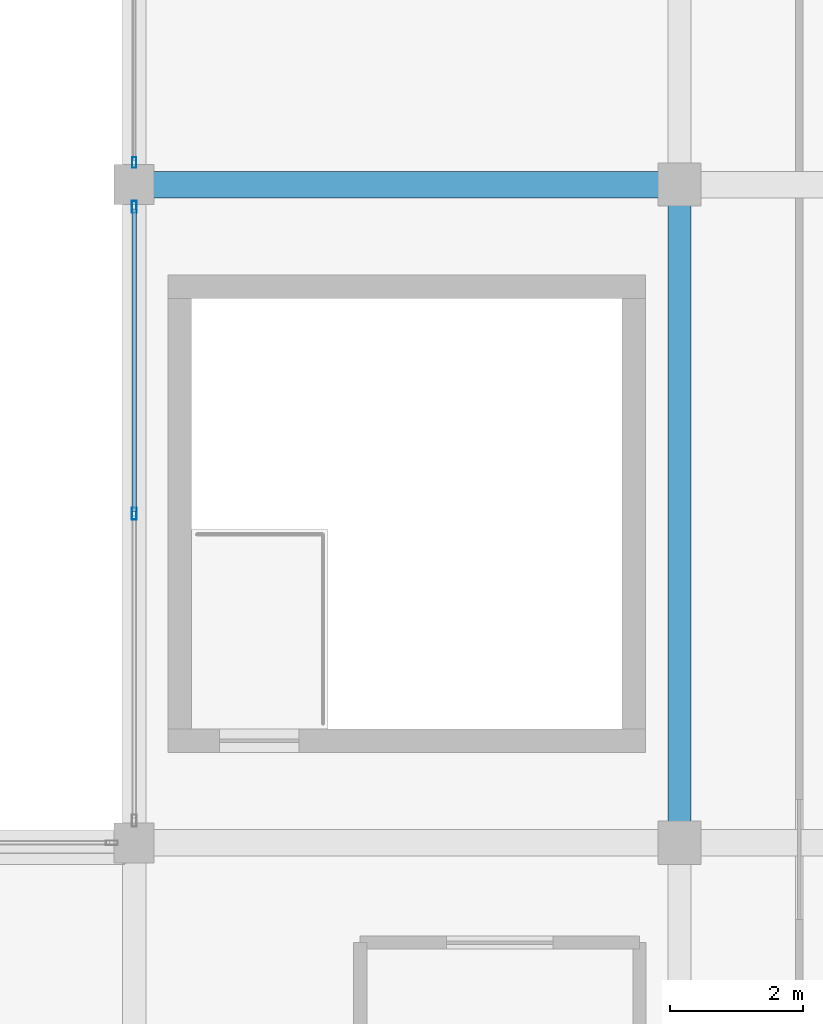
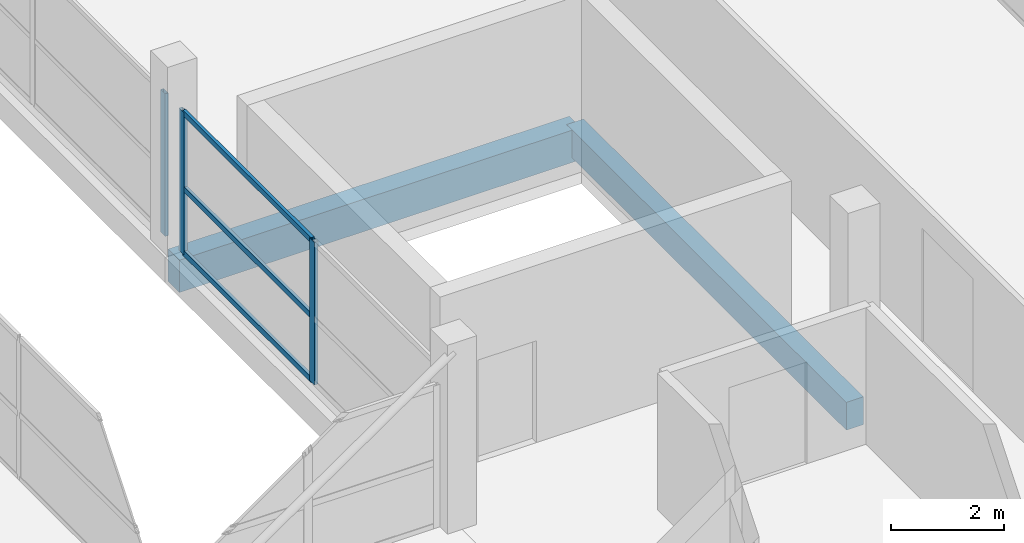
# One storey, part 30 of 53: 6 members, 2 beams, 2 elements without a shape of their own.
"""IFC4 building model written with IfcOpenShell, lengths in metres."""

from ifc_helpers import new_model, si_unit, direction, frame, origin, origin_2d, place, context, subcontext, project, spatial, rectangle, hollow_rectangle, extrude, material, layer, layer_set, material_profile, profile_set, type_object, element, aggregate, save


model = new_model("IFC4")

# Units and contexts
model_context = context("Model", 3, precision=1e-05, world=origin(), true_north=direction((0.0, 1.0)))
body_context = subcontext(model_context, "Body", "Model", "MODEL_VIEW")
ifc_project = project(units=[si_unit("LENGTHUNIT", "METRE"), si_unit("AREAUNIT", "SQUARE_METRE"), si_unit("VOLUMEUNIT", "CUBIC_METRE"), si_unit("PLANEANGLEUNIT", "RADIAN"), si_unit("MASSUNIT", "GRAM", prefix="KILO")], contexts=[model_context])

# Site, building, storey
site_placement = place(None, origin())
site = spatial("IfcSite", under=ifc_project, at=site_placement, CompositionType="ELEMENT")
building_placement = place(site_placement, origin())
building = spatial("IfcBuilding", under=site, at=building_placement, Name="Sillaruma Civic Art Gallery", CompositionType="ELEMENT")
storey_placement = place(building_placement, frame((0.0, 0.0, 70.3798828125)))
storey = spatial("IfcBuildingStorey", under=building, at=storey_placement, Name="L14", CompositionType="ELEMENT", Elevation=70.3798828125)

# Beams
ifc_material_1 = material(Name="Concrete H35 (35 MPa)", Category="concrete")
ifc_material_profile_1 = material_profile(ifc_material_1, rectangle(XDim=0.35009765625, YDim=0.60009765625, at=origin_2d()), Name="RCB350x600")
ifc_profile_set_1 = profile_set([ifc_material_profile_1], Name="Concrete H35 (35 MPa)")
beam_type_1 = type_object("IfcBeamType", Name="BM-BEAM-RCB350x600", PredefinedType="BEAM", material=ifc_profile_set_1)
beam_1_placement = place(storey_placement, frame((106.199951171875, 49.5, -0.5498046875), z_axis=(0.0, 1.0, 0.0), x_axis=(-1.0, 0.0, 0.0)))
element("IfcBeam", 1, at=beam_1_placement, inside=storey, type_object=beam_type_1, Name="Beam BM-06 (L13:M:6-7)", PredefinedType="BEAM", context=body_context, shape_type="SweptSolid", body=[
    extrude(rectangle(XDim=0.35009765625, YDim=0.60009765625, at=origin_2d()), origin(), (0.0, 0.0, 1.0), 9.89990234375),
])
ifc_material_profile_2 = material_profile(ifc_material_1, rectangle(XDim=0.39990234375, YDim=0.699951171875, at=origin_2d()), Name="RCB400x700")
ifc_profile_set_2 = profile_set([ifc_material_profile_2], Name="Concrete H35 (35 MPa)")
beam_type_2 = type_object("IfcBeamType", Name="BM-BEAM-RCB400x700", PredefinedType="BEAM", material=ifc_profile_set_2)
beam_2_placement = place(storey_placement, frame((98.0, 59.39990234375, -0.599853515625), z_axis=(1.0, 0.0, 0.0), x_axis=(0.0, 1.0, 0.0)))
element("IfcBeam", 2, at=beam_2_placement, inside=storey, type_object=beam_type_2, Name="Beam BM-04 (L13:7:L-M)", PredefinedType="BEAM", context=body_context, shape_type="SweptSolid", body=[
    extrude(rectangle(XDim=0.39990234375, YDim=0.699951171875, at=origin_2d()), origin(), (0.0, 0.0, 1.0), 8.199951171875),
])

# Curtain wall, member
ifc_material_2 = material(Name="Thermally Broken Extruded Aluminium 6063-T6", Category="aluminium")
ifc_layer_1 = layer(ifc_material_2, 0.159912109375, Name="Thermally Broken Extruded Aluminium 6063-T6")
ifc_layer_set_1 = layer_set([ifc_layer_1], Name="Thermally Broken Extruded Aluminium 6063-T6")
curtain_wall_type_1 = type_object("IfcCurtainWallType", Name="CW-UNI-97", PredefinedType="NOTDEFINED", material=ifc_layer_set_1)
curtain_wall_1_placement = place(storey_placement, origin())
curtain_wall_1 = element("IfcCurtainWall", 3, at=curtain_wall_1_placement, inside=storey, type_object=curtain_wall_type_1, Name="Unitised Curtain Wall CW-97 (CW-L14-EHH-W2)", PredefinedType="NOTDEFINED")
ifc_material_profile_3 = material_profile(ifc_material_2, hollow_rectangle(XDim=0.06494140625, YDim=0.159912109375, WallThickness=0.00390625, at=origin_2d()), Name="CWM65x160")
ifc_profile_set_3 = profile_set([ifc_material_profile_3], Name="Thermally Broken Extruded Aluminium 6063-T6")
member_type_1 = type_object("IfcMemberType", Name="MEM-MUL-CWM65x160", PredefinedType="MULLION", material=ifc_profile_set_3)
member_1_placement = place(storey_placement, frame((98.0, 59.732421875, 0.0), z_axis=(0.0, 0.0, 1.0), x_axis=(-1.0, 0.0, 0.0)))
member_1 = element("IfcMember", 4, at=member_1_placement, type_object=member_type_1, Name="CW-97 mullion 1", PredefinedType="MULLION", context=body_context, shape_type="SweptSolid", body=[
    extrude(hollow_rectangle(XDim=0.06494140625, YDim=0.159912109375, WallThickness=0.00390625, at=origin_2d()), origin(), (0.0, 0.0, 1.0), 3.080078125),
])
aggregate(curtain_wall_1, [member_1])

# Curtain wall, members
ifc_layer_2 = layer(ifc_material_2, 0.179931640625, Name="Thermally Broken Extruded Aluminium 6063-T6")
ifc_layer_set_2 = layer_set([ifc_layer_2], Name="Thermally Broken Extruded Aluminium 6063-T6")
curtain_wall_type_2 = type_object("IfcCurtainWallType", Name="CW-UNI-100", PredefinedType="NOTDEFINED", material=ifc_layer_set_2)
curtain_wall_2_placement = place(storey_placement, origin())
curtain_wall_2 = element("IfcCurtainWall", 5, at=curtain_wall_2_placement, inside=storey, type_object=curtain_wall_type_2, Name="Unitised Curtain Wall CW-100 (CW-L14-EHH-W1)", PredefinedType="NOTDEFINED")
ifc_material_profile_4 = material_profile(ifc_material_2, hollow_rectangle(XDim=0.070068359375, YDim=0.179931640625, WallThickness=0.00390625, at=origin_2d()), Name="CWM70x180")
ifc_profile_set_4 = profile_set([ifc_material_profile_4], Name="Thermally Broken Extruded Aluminium 6063-T6")
member_type_2 = type_object("IfcMemberType", Name="MEM-MUL-CWM70x180", PredefinedType="MULLION", material=ifc_profile_set_4)
member_2_placement = place(storey_placement, frame((98.0, 54.449951171875, 0.0), z_axis=(0.0, 0.0, 1.0), x_axis=(-1.0, 0.0, 0.0)))
member_2 = element("IfcMember", 6, at=member_2_placement, type_object=member_type_2, Name="CW-100 mullion 2", PredefinedType="MULLION", context=body_context, shape_type="SweptSolid", body=[
    extrude(hollow_rectangle(XDim=0.070068359375, YDim=0.179931640625, WallThickness=0.00390625, at=origin_2d()), origin(), (0.0, 0.0, 1.0), 3.080078125),
])
member_3_placement = place(storey_placement, frame((98.0, 59.06494140625, 0.0), z_axis=(0.0, 0.0, 1.0), x_axis=(-1.0, 0.0, 0.0)))
member_3 = element("IfcMember", 7, at=member_3_placement, type_object=member_type_2, Name="CW-100 mullion 3", PredefinedType="MULLION", context=body_context, shape_type="SweptSolid", body=[
    extrude(hollow_rectangle(XDim=0.070068359375, YDim=0.179931640625, WallThickness=0.00390625, at=origin_2d()), origin(), (0.0, 0.0, 1.0), 3.080078125),
])
ifc_material_profile_5 = material_profile(ifc_material_2, hollow_rectangle(XDim=0.06494140625, YDim=0.1201171875, WallThickness=0.00341796875, at=origin_2d()), Name="CWT65x120")
ifc_profile_set_5 = profile_set([ifc_material_profile_5], Name="Thermally Broken Extruded Aluminium 6063-T6")
member_type_3 = type_object("IfcMemberType", Name="MEM-TRN-CWT65x120", PredefinedType="USERDEFINED", material=ifc_profile_set_5)
member_4_placement = place(storey_placement, frame((98.0, 54.485107421875, 0.03271484375), z_axis=(0.0, 1.0, 0.0), x_axis=(-1.0, 0.0, 0.0)))
member_4 = element("IfcMember", 8, at=member_4_placement, type_object=member_type_3, Name="CW-100 transom 2.1", ObjectType="TRANSOM", PredefinedType="USERDEFINED", context=body_context, shape_type="SweptSolid", body=[
    extrude(hollow_rectangle(XDim=0.06494140625, YDim=0.1201171875, WallThickness=0.00341796875, at=origin_2d()), origin(), (0.0, 0.0, 1.0), 4.544921875),
])
member_5_placement = place(storey_placement, frame((98.0, 54.485107421875, 1.4169921875), z_axis=(0.0, 1.0, 0.0), x_axis=(-1.0, 0.0, 0.0)))
member_5 = element("IfcMember", 9, at=member_5_placement, type_object=member_type_3, Name="CW-100 transom 2.2", ObjectType="TRANSOM", PredefinedType="USERDEFINED", context=body_context, shape_type="SweptSolid", body=[
    extrude(hollow_rectangle(XDim=0.06494140625, YDim=0.1201171875, WallThickness=0.00341796875, at=origin_2d()), origin(), (0.0, 0.0, 1.0), 4.544921875),
])
member_6_placement = place(storey_placement, frame((98.0, 54.485107421875, 3.047607421875), z_axis=(0.0, 1.0, 0.0), x_axis=(-1.0, 0.0, 0.0)))
member_6 = element("IfcMember", 10, at=member_6_placement, type_object=member_type_3, Name="CW-100 transom 2.3", ObjectType="TRANSOM", PredefinedType="USERDEFINED", context=body_context, shape_type="SweptSolid", body=[
    extrude(hollow_rectangle(XDim=0.06494140625, YDim=0.1201171875, WallThickness=0.00341796875, at=origin_2d()), origin(), (0.0, 0.0, 1.0), 4.544921875),
])
aggregate(curtain_wall_2, [member_2, member_3, member_4, member_5, member_6])

save(model, "model.ifc")
